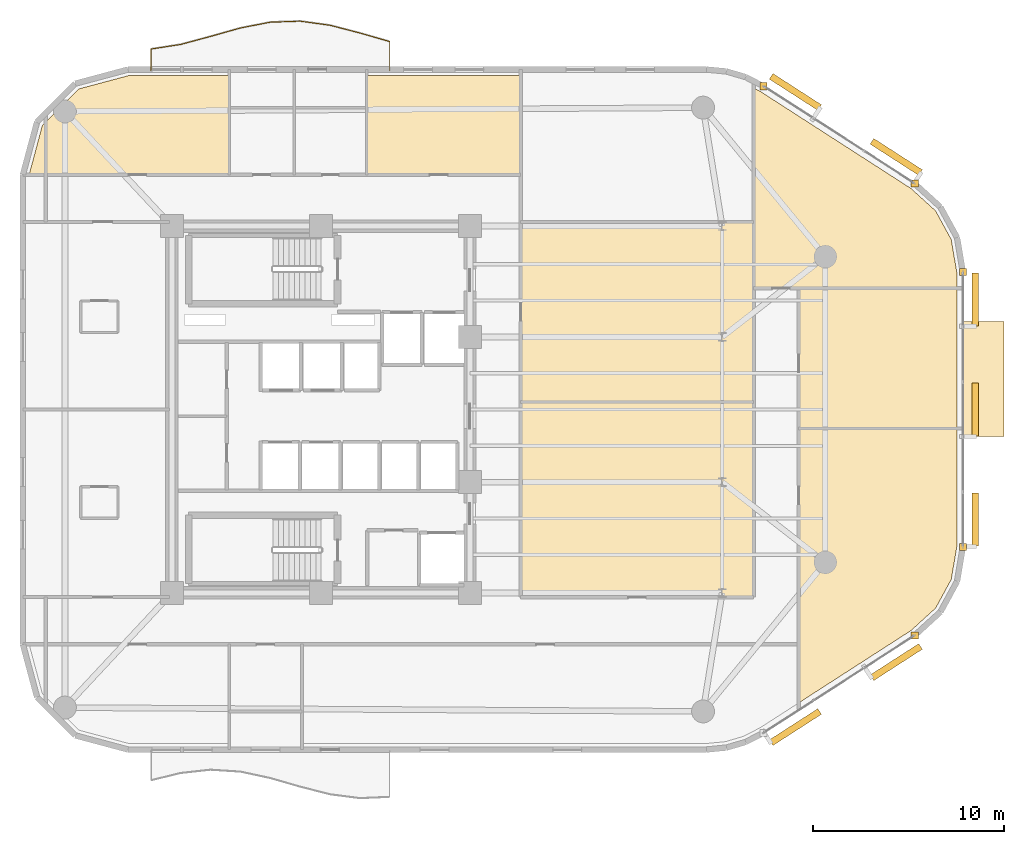
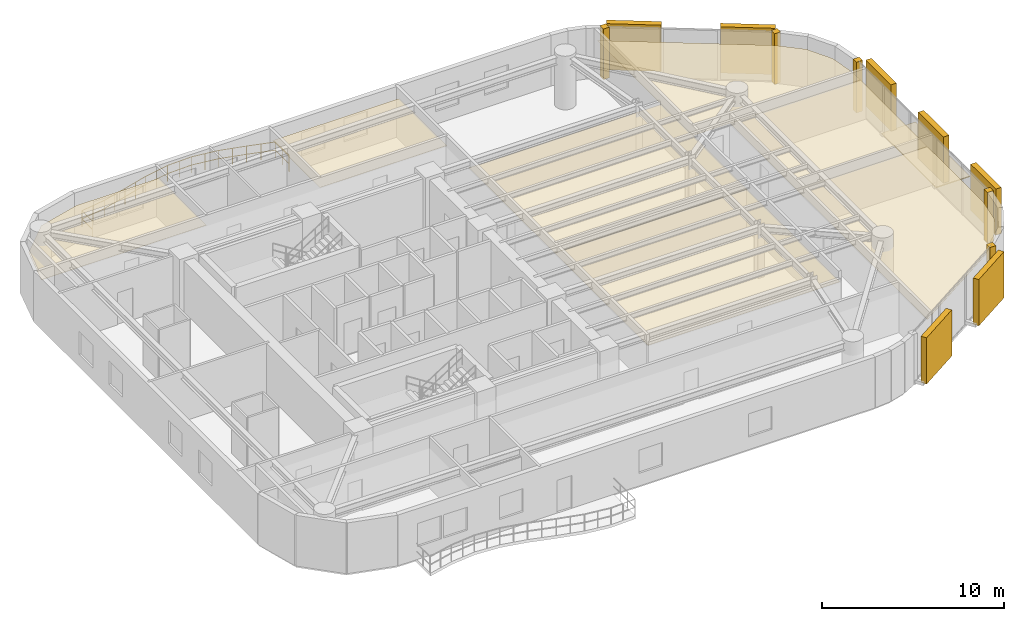
# One storey, part 15 of 15: 13 coverings, 7 shading devices, 1 railing.
"""IFC4 building model written with IfcOpenShell, lengths in metres."""

from ifc_helpers import new_model, si_unit, direction, frame, origin, origin_2d, place, context, subcontext, project, spatial, polyline, rectangle, circle, outline, extrude, material, layer, layer_set, type_object, element, save


model = new_model("IFC4")

# Units and contexts
model_context = context("Model", 3, precision=1e-05, world=origin(), true_north=direction((0.0, 1.0)))
body_context = subcontext(model_context, "Body", "Model", "MODEL_VIEW")
ifc_project = project(units=[si_unit("LENGTHUNIT", "METRE"), si_unit("AREAUNIT", "SQUARE_METRE"), si_unit("VOLUMEUNIT", "CUBIC_METRE"), si_unit("PLANEANGLEUNIT", "RADIAN"), si_unit("MASSUNIT", "GRAM", prefix="KILO")], contexts=[model_context])

# Site, building, storey
site_placement = place(None, origin())
site = spatial("IfcSite", under=ifc_project, at=site_placement, CompositionType="ELEMENT")
building_placement = place(site_placement, origin())
building = spatial("IfcBuilding", under=site, at=building_placement, Name="An Khanh Terracotta Commons", CompositionType="ELEMENT")
storey_placement = place(building_placement, frame((0.0, 0.0, 165.39990234375)))
storey = spatial("IfcBuildingStorey", under=building, at=storey_placement, Name="L43", CompositionType="ELEMENT", Elevation=165.39990234375)

# Coverings
ifc_material_1 = material(Name="Perforated Mineral-Fibre Acoustic Tile")
ifc_layer_1 = layer(ifc_material_1, 0.02001953125, Name="Perforated Mineral-Fibre Acoustic Tile")
ifc_layer_set_1 = layer_set([ifc_layer_1], Name="Perforated Mineral-Fibre Acoustic Tile")
covering_type_1 = type_object("IfcCoveringType", Name="CEIL-ACOUSTIC-18", PredefinedType="CEILING", material=ifc_layer_set_1)
covering_1_placement = place(storey_placement, frame((0.0, 0.0, 2.650146484375)))
element("IfcCovering", 1, at=covering_1_placement, inside=storey, type_object=covering_type_1, Name="L43 Riverfront Reading Hall Ceiling", PredefinedType="CEILING", context=body_context, shape_type="SweptSolid", body=[
    extrude(outline(polyline([(39.85009765625, 24.39990234375), (52.050048828125, 24.39990234375), (52.050048828125, 14.179931640625), (39.85009765625, 14.179931640625), (39.85009765625, 24.39990234375)])), origin(), (0.0, 0.0, 1.0), 0.02001953125),
])
covering_2_placement = place(storey_placement, frame((0.0, 0.0, 2.650146484375)))
element("IfcCovering", 2, at=covering_2_placement, inside=storey, type_object=covering_type_1, Name="L43 Academic Seminar Room Ceiling", PredefinedType="CEILING", context=body_context, shape_type="SweptSolid", body=[
    extrude(outline(polyline([(39.85009765625, 33.820068359375), (52.050048828125, 33.820068359375), (52.050048828125, 30.35009765625), (52.050048828125, 24.39990234375), (39.85009765625, 24.39990234375), (39.85009765625, 33.820068359375)])), origin(), (0.0, 0.0, 1.0), 0.02001953125),
])
covering_3_placement = place(storey_placement, frame((0.0, 0.0, 2.650146484375)))
element("IfcCovering", 3, at=covering_3_placement, inside=storey, type_object=covering_type_1, Name="L43 Collaborative Study Lounge Ceiling", PredefinedType="CEILING", context=body_context, shape_type="SweptSolid", body=[
    extrude(outline(polyline([(52.39892578125, 40.64697265625), (60.281982421875, 35.569091796875), (61.571044921875, 34.39697265625), (62.39111328125, 32.89111328125), (62.679931640625, 31.173095703125), (62.679931640625, 30.35009765625), (54.39990234375, 30.35009765625), (52.050048828125, 30.35009765625), (52.050048828125, 40.827880859375), (52.39892578125, 40.64697265625)])), origin(), (0.0, 0.0, 1.0), 0.02001953125),
])
covering_4_placement = place(storey_placement, frame((0.0, 0.0, 2.650146484375)))
element("IfcCovering", 4, at=covering_4_placement, inside=storey, type_object=covering_type_1, Name="L43 Collaborative Study Lounge Ceiling", PredefinedType="CEILING", context=body_context, shape_type="SweptSolid", body=[
    extrude(outline(polyline([(62.679931640625, 23.0), (54.39990234375, 23.0), (54.39990234375, 30.35009765625), (62.679931640625, 30.35009765625), (62.679931640625, 23.0)])), origin(), (0.0, 0.0, 1.0), 0.02001953125),
])
covering_5_placement = place(storey_placement, frame((0.0, 0.0, 2.650146484375)))
element("IfcCovering", 5, at=covering_5_placement, inside=storey, type_object=covering_type_1, Name="L43 Collaborative Study Lounge Ceiling", PredefinedType="CEILING", context=body_context, shape_type="SweptSolid", body=[
    extrude(outline(polyline([(62.679931640625, 16.826904296875), (62.39111328125, 15.10888671875), (61.571044921875, 13.60302734375), (60.281982421875, 12.430908203125), (54.39990234375, 8.64208984375), (54.39990234375, 11.719970703125), (54.39990234375, 14.179931640625), (54.39990234375, 23.0), (62.679931640625, 23.0), (62.679931640625, 16.826904296875)])), origin(), (0.0, 0.0, 1.0), 0.02001953125),
])
covering_6_placement = place(storey_placement, frame((0.0, 0.0, 2.650146484375)))
element("IfcCovering", 6, at=covering_6_placement, inside=storey, type_object=covering_type_1, Name="L43 Academic Seminar Room Ceiling", PredefinedType="CEILING", context=body_context, shape_type="SweptSolid", body=[
    extrude(outline(polyline([(19.342041015625, 41.47998046875), (24.60009765625, 41.47998046875), (24.60009765625, 39.800048828125), (24.60009765625, 36.280029296875), (15.0, 36.280029296875), (14.1259765625, 36.280029296875), (14.823974609375, 38.884033203125), (16.716064453125, 40.77587890625), (19.342041015625, 41.47998046875)])), origin(), (0.0, 0.0, 1.0), 0.02001953125),
])
covering_7_placement = place(storey_placement, frame((0.0, 0.0, 2.650146484375)))
element("IfcCovering", 7, at=covering_7_placement, inside=storey, type_object=covering_type_1, Name="L43 Academic Seminar Room Ceiling", PredefinedType="CEILING", context=body_context, shape_type="SweptSolid", body=[
    extrude(outline(polyline([(39.85009765625, 41.47998046875), (39.85009765625, 36.280029296875), (37.5, 36.280029296875), (31.800048828125, 36.280029296875), (31.800048828125, 39.800048828125), (31.800048828125, 41.47998046875), (39.85009765625, 41.47998046875)])), origin(), (0.0, 0.0, 1.0), 0.02001953125),
])
ifc_material_2 = material(Name="Fired Terracotta Rainscreen Cladding", Category="masonry")
ifc_layer_2 = layer(ifc_material_2, 0.080078125, Name="Fired Terracotta Rainscreen Cladding")
ifc_layer_set_2 = layer_set([ifc_layer_2], Name="Fired Terracotta Rainscreen Cladding")
covering_type_2 = type_object("IfcCoveringType", Name="COV-JAMB-TERRA", PredefinedType="CLADDING", material=ifc_layer_set_2)
for number, where, z_axis, x_axis, name in (
    (8, (60.47802734375, 12.176025390625, 0.000244140625), (0.0, 0.0, 1.0), (1.0, 0.0, 0.0), "L43 CW-03 Curtain-Wall Jamb Closure JB"),
    (9, (63.0, 16.800048828125, 0.000244140625), (0.0, 0.0, 1.0), (1.0, 0.0, 0.0), "L43 CW-03 Curtain-Wall Jamb Closure JA"),
    (10, (63.0, 31.199951171875, 0.000244140625), (0.0, 0.0, 1.0), (1.0, 0.0, 0.0), "L43 CW-03 Curtain-Wall Jamb Closure JB"),
    (11, (60.47802734375, 35.823974609375, 0.000244140625), (0.0, 0.0, 1.0), (1.0, 0.0, 0.0), "L43 CW-03 Curtain-Wall Jamb Closure JA"),
    (12, (52.56005859375, 40.924072265625, 0.000244140625), (0.0, 0.0, 1.0), (1.0, 0.0, 0.0), "L43 CW-03 Curtain-Wall Jamb Closure JB"),
):
    element("IfcCovering", number, at=place(storey_placement, frame(where, z_axis=z_axis, x_axis=x_axis)), inside=storey, type_object=covering_type_2, Name=name, PredefinedType="CLADDING", context=body_context, shape_type="SweptSolid", body=[
        extrude(rectangle(XDim=0.3798828125, YDim=0.3798828125, at=origin_2d()), origin(), (0.0, 0.0, 1.0), 3.39990234375),
    ])
ifc_material_3 = material(Name="Planted Garden Waterproofing Membrane")
ifc_layer_3 = layer(ifc_material_3, 0.080078125, Name="Planted Garden Waterproofing Membrane")
ifc_layer_set_3 = layer_set([ifc_layer_3], Name="Planted Garden Waterproofing Membrane")
covering_type_3 = type_object("IfcCoveringType", Name="COV-ROOFING-GREEN", PredefinedType="ROOFING", material=ifc_layer_set_3)
covering_8_placement = place(storey_placement, origin())
element("IfcCovering", 13, at=covering_8_placement, inside=storey, type_object=covering_type_3, Name="L43 Shifted Box Roof Waterproofing (L42)", PredefinedType="ROOFING", context=body_context, shape_type="SweptSolid", body=[
    extrude(outline(polyline([(63.0, 22.60009765625), (65.14990234375, 22.60009765625), (65.14990234375, 28.60009765625), (63.0, 28.60009765625), (63.0, 22.60009765625)])), origin(), (0.0, 0.0, 1.0), 0.06005859375),
])

# Railing
ifc_material_4 = material(Name="Brushed Stainless Steel 316", Category="steel")
railing_type = type_object("IfcRailingType", Name="RAIL-BALUSTRADE-1100", PredefinedType="BALUSTRADE", material=ifc_material_4)
railing_placement = place(storey_placement, frame((33.0, 41.739990234375, 0.0)))
element("IfcRailing", 14, at=railing_placement, inside=storey, type_object=railing_type, Name="L43 N Wave Balcony Guard Balustrade", PredefinedType="BALUSTRADE", context=body_context, shape_type="SweptSolid", body=[
    extrude(circle(Radius=0.02392578125, at=origin_2d()), frame((0.0, 0.0, 1.076171875), z_axis=(0.0, 1.0, 0.0), x_axis=(-1.0, 0.0, 0.0)), (0.0, 0.0, 1.0), 1.51806640625),
    extrude(circle(Radius=0.02392578125, at=origin_2d()), frame((0.0, 0.0, 0.52587890625), z_axis=(0.0, 1.0, 0.0), x_axis=(-1.0, 0.0, 0.0)), (0.0, 0.0, 1.0), 1.51806640625),
    extrude(circle(Radius=0.02392578125, at=origin_2d()), frame((0.0, 1.51806640625, 1.076171875), z_axis=(-0.961245650832, 0.275693305607, 0.0), x_axis=(-0.275693305607, -0.961245650832, 0.0)), (0.0, 0.0, 1.0), 1.625),
    extrude(circle(Radius=0.02392578125, at=origin_2d()), frame((0.0, 1.51806640625, 0.52587890625), z_axis=(-0.961245650832, 0.275693305607, 0.0), x_axis=(-0.275693305607, -0.961245650832, 0.0)), (0.0, 0.0, 1.0), 1.625),
    extrude(circle(Radius=0.02392578125, at=origin_2d()), frame((-1.56201171875, 1.966064453125, 1.076171875), z_axis=(-0.967878447467, 0.251418597022, 0.0), x_axis=(-0.251418597022, -0.967878447467, 0.0)), (0.0, 0.0, 1.0), 1.61474609375),
    extrude(circle(Radius=0.02392578125, at=origin_2d()), frame((-1.56201171875, 1.966064453125, 0.52587890625), z_axis=(-0.967878447467, 0.251418597022, 0.0), x_axis=(-0.251418597022, -0.967878447467, 0.0)), (0.0, 0.0, 1.0), 1.61474609375),
    extrude(circle(Radius=0.02392578125, at=origin_2d()), frame((-3.125, 2.3720703125, 1.076171875), z_axis=(-0.990684581728, 0.136176574808, 0.0), x_axis=(-0.136176574808, -0.990684581728, 0.0)), (0.0, 0.0, 1.0), 1.57763671875),
    extrude(circle(Radius=0.02392578125, at=origin_2d()), frame((-3.125, 2.3720703125, 0.52587890625), z_axis=(-0.990684581728, 0.136176574808, 0.0), x_axis=(-0.136176574808, -0.990684581728, 0.0)), (0.0, 0.0, 1.0), 1.57763671875),
    extrude(circle(Radius=0.02392578125, at=origin_2d()), frame((-4.68798828125, 2.5869140625, 1.076171875), z_axis=(-0.99940395691, -0.034521455842, 0.0), x_axis=(0.034521455842, -0.99940395691, 0.0)), (0.0, 0.0, 1.0), 1.56298828125),
    extrude(circle(Radius=0.02392578125, at=origin_2d()), frame((-4.68798828125, 2.5869140625, 0.52587890625), z_axis=(-0.99940395691, -0.034521455842, 0.0), x_axis=(0.034521455842, -0.99940395691, 0.0)), (0.0, 0.0, 1.0), 1.56298828125),
    extrude(circle(Radius=0.02392578125, at=origin_2d()), frame((-6.25, 2.532958984375, 1.076171875), z_axis=(-0.981703128151, -0.19041787778, 0.0), x_axis=(0.19041787778, -0.981703128151, 0.0)), (0.0, 0.0, 1.0), 1.591064453125),
    extrude(circle(Radius=0.02392578125, at=origin_2d()), frame((-6.25, 2.532958984375, 0.52587890625), z_axis=(-0.981703128151, -0.19041787778, 0.0), x_axis=(0.19041787778, -0.981703128151, 0.0)), (0.0, 0.0, 1.0), 1.591064453125),
    extrude(circle(Radius=0.02392578125, at=origin_2d()), frame((-7.81201171875, 2.22998046875, 1.076171875), z_axis=(-0.962437589726, -0.271503012659, 0.0), x_axis=(0.271503012659, -0.962437589726, 0.0)), (0.0, 0.0, 1.0), 1.6240234375),
    extrude(circle(Radius=0.02392578125, at=origin_2d()), frame((-7.81201171875, 2.22998046875, 0.52587890625), z_axis=(-0.962437589726, -0.271503012659, 0.0), x_axis=(0.271503012659, -0.962437589726, 0.0)), (0.0, 0.0, 1.0), 1.6240234375),
    extrude(circle(Radius=0.02392578125, at=origin_2d()), frame((-9.375, 1.7890625, 1.076171875), z_axis=(-0.965714726514, -0.259605598927, 0.0), x_axis=(0.259605598927, -0.965714726514, 0.0)), (0.0, 0.0, 1.0), 1.618408203125),
    extrude(circle(Radius=0.02392578125, at=origin_2d()), frame((-9.375, 1.7890625, 0.52587890625), z_axis=(-0.965714726514, -0.259605598927, 0.0), x_axis=(0.259605598927, -0.965714726514, 0.0)), (0.0, 0.0, 1.0), 1.618408203125),
    extrude(circle(Radius=0.02392578125, at=origin_2d()), frame((-10.93798828125, 1.368896484375, 1.076171875), z_axis=(-0.988122202145, -0.153670145535, 0.0), x_axis=(0.153670145535, -0.988122202145, 0.0)), (0.0, 0.0, 1.0), 1.580810546875),
    extrude(circle(Radius=0.02392578125, at=origin_2d()), frame((-10.93798828125, 1.368896484375, 0.52587890625), z_axis=(-0.988122202145, -0.153670145535, 0.0), x_axis=(0.153670145535, -0.988122202145, 0.0)), (0.0, 0.0, 1.0), 1.580810546875),
    extrude(circle(Radius=0.02392578125, at=origin_2d()), frame((-12.5, 1.1259765625, 1.076171875), z_axis=(0.0, -1.0, 0.0), x_axis=(1.0, 0.0, 0.0)), (0.0, 0.0, 1.0), 1.1259765625),
    extrude(circle(Radius=0.02392578125, at=origin_2d()), frame((-12.5, 1.1259765625, 0.52587890625), z_axis=(0.0, -1.0, 0.0), x_axis=(1.0, 0.0, 0.0)), (0.0, 0.0, 1.0), 1.1259765625),
    extrude(circle(Radius=0.02099609375, at=origin_2d()), origin(), (0.0, 0.0, 1.0), 1.052001953125),
    extrude(circle(Radius=0.02099609375, at=origin_2d()), frame((0.0, 0.759033203125, 0.0)), (0.0, 0.0, 1.0), 1.052001953125),
    extrude(circle(Radius=0.02099609375, at=origin_2d()), frame((0.0, 1.51806640625, 0.0)), (0.0, 0.0, 1.0), 1.052001953125),
    extrude(circle(Radius=0.02099609375, at=origin_2d()), frame((-0.781005859375, 1.7421875, 0.0)), (0.0, 0.0, 1.0), 1.052001953125),
    extrude(circle(Radius=0.02099609375, at=origin_2d()), frame((-1.56201171875, 1.966064453125, 0.0)), (0.0, 0.0, 1.0), 1.052001953125),
    extrude(circle(Radius=0.02099609375, at=origin_2d()), frame((-2.343505859375, 2.1689453125, 0.0)), (0.0, 0.0, 1.0), 1.052001953125),
    extrude(circle(Radius=0.02099609375, at=origin_2d()), frame((-3.125, 2.3720703125, 0.0)), (0.0, 0.0, 1.0), 1.052001953125),
    extrude(circle(Radius=0.02099609375, at=origin_2d()), frame((-3.906494140625, 2.4794921875, 0.0)), (0.0, 0.0, 1.0), 1.052001953125),
    extrude(circle(Radius=0.02099609375, at=origin_2d()), frame((-4.68798828125, 2.5869140625, 0.0)), (0.0, 0.0, 1.0), 1.052001953125),
    extrude(circle(Radius=0.02099609375, at=origin_2d()), frame((-5.468994140625, 2.56005859375, 0.0)), (0.0, 0.0, 1.0), 1.052001953125),
    extrude(circle(Radius=0.02099609375, at=origin_2d()), frame((-6.25, 2.532958984375, 0.0)), (0.0, 0.0, 1.0), 1.052001953125),
    extrude(circle(Radius=0.02099609375, at=origin_2d()), frame((-7.031005859375, 2.38134765625, 0.0)), (0.0, 0.0, 1.0), 1.052001953125),
    extrude(circle(Radius=0.02099609375, at=origin_2d()), frame((-7.81201171875, 2.22998046875, 0.0)), (0.0, 0.0, 1.0), 1.052001953125),
    extrude(circle(Radius=0.02099609375, at=origin_2d()), frame((-8.593505859375, 2.009521484375, 0.0)), (0.0, 0.0, 1.0), 1.052001953125),
    extrude(circle(Radius=0.02099609375, at=origin_2d()), frame((-9.375, 1.7890625, 0.0)), (0.0, 0.0, 1.0), 1.052001953125),
    extrude(circle(Radius=0.02099609375, at=origin_2d()), frame((-10.156494140625, 1.5791015625, 0.0)), (0.0, 0.0, 1.0), 1.052001953125),
    extrude(circle(Radius=0.02099609375, at=origin_2d()), frame((-10.93798828125, 1.368896484375, 0.0)), (0.0, 0.0, 1.0), 1.052001953125),
    extrude(circle(Radius=0.02099609375, at=origin_2d()), frame((-11.718994140625, 1.24755859375, 0.0)), (0.0, 0.0, 1.0), 1.052001953125),
    extrude(circle(Radius=0.02099609375, at=origin_2d()), frame((-12.5, 1.1259765625, 0.0)), (0.0, 0.0, 1.0), 1.052001953125),
    extrude(circle(Radius=0.02099609375, at=origin_2d()), frame((-12.5, 0.0, 0.0)), (0.0, 0.0, 1.0), 1.052001953125),
])

# Shading devices
ifc_material_5 = material(Name="Extruded Fired Terracotta", Category="masonry")
shading_device_type = type_object("IfcShadingDeviceType", Name="Terracotta Baguette Screen Assembly", PredefinedType="USERDEFINED", material=ifc_material_5)
for number, where, z_axis, x_axis, name in (
    (15, (54.23193359375, 7.3798828125, 0.150146484375), (0.0, 0.0, 1.0), (0.840702081986, 0.541497931062, 0.0), "L43 Terracotta Baguette Screen 1"),
    (16, (59.510009765625, 10.780029296875, 0.150146484375), (0.0, 0.0, 1.0), (0.840702081986, 0.541497931062, 0.0), "L43 Terracotta Baguette Screen 3"),
):
    element("IfcShadingDevice", number, at=place(storey_placement, frame(where, z_axis=z_axis, x_axis=x_axis)), inside=storey, type_object=shading_device_type, Name=name, ObjectType="BAGUETTE", PredefinedType="USERDEFINED", context=body_context, shape_type="SweptSolid", body=[
        extrude(rectangle(XDim=3.01904296875, YDim=0.35009765625, at=origin_2d()), origin(), (0.0, 0.0, 1.0), 3.10009765625),
    ])
for number, where, z_axis, x_axis, name in (
    (17, (63.64990234375, 18.239990234375, 0.150146484375), (0.0, 0.0, 1.0), (0.0, 1.0, 0.0), "L43 Terracotta Baguette Screen 1"),
    (18, (63.64990234375, 24.0, 0.150146484375), (0.0, 0.0, 1.0), (0.0, 1.0, 0.0), "L43 Terracotta Baguette Screen 3"),
    (19, (63.64990234375, 29.760009765625, 0.150146484375), (0.0, 0.0, 1.0), (0.0, 1.0, 0.0), "L43 Terracotta Baguette Screen 5"),
):
    element("IfcShadingDevice", number, at=place(storey_placement, frame(where, z_axis=z_axis, x_axis=x_axis)), inside=storey, type_object=shading_device_type, Name=name, ObjectType="BAGUETTE", PredefinedType="USERDEFINED", context=body_context, shape_type="SweptSolid", body=[
        extrude(rectangle(XDim=2.760009765625, YDim=0.35009765625, at=origin_2d()), origin(), (0.0, 0.0, 1.0), 3.10009765625),
    ])
for number, where, z_axis, x_axis, name in (
    (20, (59.510009765625, 37.219970703125, 0.150146484375), (0.0, 0.0, 1.0), (-0.840702081986, 0.541497931062, 0.0), "L43 Terracotta Baguette Screen 1"),
    (21, (54.23193359375, 40.6201171875, 0.150146484375), (0.0, 0.0, 1.0), (-0.840702081986, 0.541497931062, 0.0), "L43 Terracotta Baguette Screen 3"),
):
    element("IfcShadingDevice", number, at=place(storey_placement, frame(where, z_axis=z_axis, x_axis=x_axis)), inside=storey, type_object=shading_device_type, Name=name, ObjectType="BAGUETTE", PredefinedType="USERDEFINED", context=body_context, shape_type="SweptSolid", body=[
        extrude(rectangle(XDim=3.01904296875, YDim=0.35009765625, at=origin_2d()), origin(), (0.0, 0.0, 1.0), 3.10009765625),
    ])

save(model, "model.ifc")
